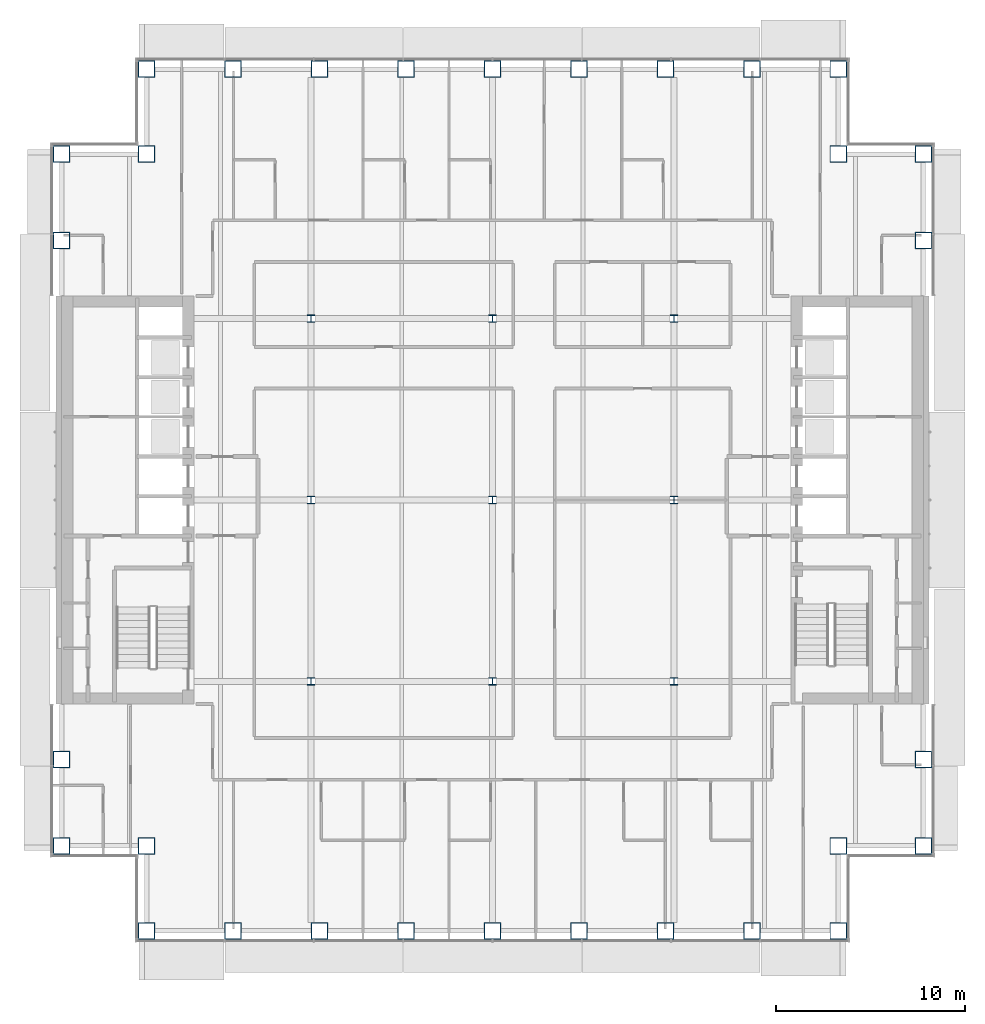
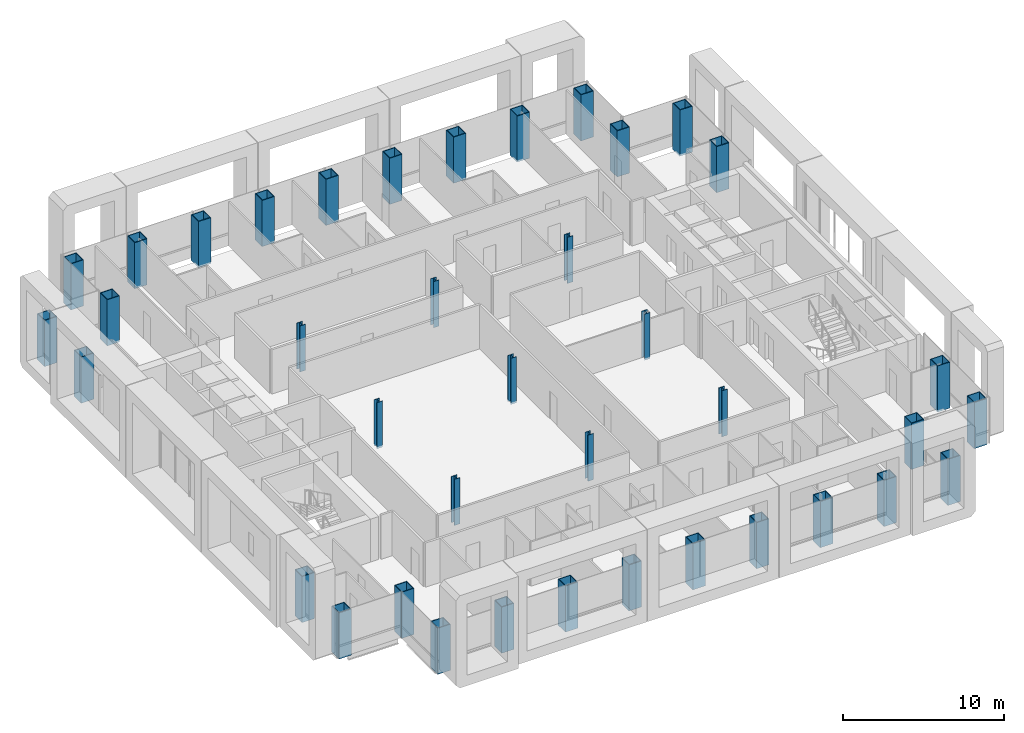
# One storey, part 1 of 20: 39 columns.
"""IFC4 building model written with IfcOpenShell, lengths in metres."""

from ifc_helpers import new_model, si_unit, direction, frame, origin, origin_2d, place, context, subcontext, project, spatial, hollow_rectangle, i_section, extrude, material, material_profile, profile_set, type_object, element, save


model = new_model("IFC4")

# Units and contexts
model_context = context("Model", 3, precision=1e-05, world=origin(), true_north=direction((0.0, 1.0)))
body_context = subcontext(model_context, "Body", "Model", "MODEL_VIEW")
ifc_project = project(units=[si_unit("LENGTHUNIT", "METRE"), si_unit("AREAUNIT", "SQUARE_METRE"), si_unit("VOLUMEUNIT", "CUBIC_METRE"), si_unit("PLANEANGLEUNIT", "RADIAN"), si_unit("MASSUNIT", "GRAM", prefix="KILO")], contexts=[model_context])

# Site, building, storey
site_placement = place(None, origin())
site = spatial("IfcSite", under=ifc_project, at=site_placement, CompositionType="ELEMENT")
building_placement = place(site_placement, origin())
building = spatial("IfcBuilding", under=site, at=building_placement, Name="Cobrizo Arcos Hotel Tower", CompositionType="ELEMENT")
storey_placement = place(building_placement, frame((0.0, 0.0, 96.0)))
storey = spatial("IfcBuildingStorey", under=building, at=storey_placement, Name="L23", CompositionType="ELEMENT", Elevation=96.0)

# Columns
ifc_material_1 = material(Name="Steel ASTM A572 Grade 50", Category="steel")
ifc_material_profile_1 = material_profile(ifc_material_1, hollow_rectangle(XDim=0.89990234375, YDim=0.89990234375, WallThickness=0.050048828125, at=origin_2d()), Name="BOX 900X900X50")
ifc_profile_set_1 = profile_set([ifc_material_profile_1], Name="Steel ASTM A572 Grade 50")
column_type_1 = type_object("IfcColumnType", Name="BOX 900X900X50 column", PredefinedType="COLUMN", material=ifc_profile_set_1)
for number, where, z_axis, x_axis, name in (
    (1, (-18.300048828125, 22.800048828125, -0.14990234375), (0.0, 0.0, 1.0), (1.0, 0.0, 0.0), "Perimeter column C6, L23, no. 00"),
    (2, (-18.300048828125, -22.800048828125, -0.14990234375), (0.0, 0.0, 1.0), (1.0, 0.0, 0.0), "Perimeter column C6, L23, no. 01"),
    (3, (-13.72509765625, 22.800048828125, -0.14990234375), (0.0, 0.0, 1.0), (1.0, 0.0, 0.0), "Perimeter column C6, L23, no. 02"),
    (4, (-13.72509765625, -22.800048828125, -0.14990234375), (0.0, 0.0, 1.0), (1.0, 0.0, 0.0), "Perimeter column C6, L23, no. 03"),
    (5, (-9.14990234375, 22.800048828125, -0.14990234375), (0.0, 0.0, 1.0), (1.0, 0.0, 0.0), "Perimeter column C6, L23, no. 04"),
    (6, (-9.14990234375, -22.800048828125, -0.14990234375), (0.0, 0.0, 1.0), (1.0, 0.0, 0.0), "Perimeter column C6, L23, no. 05"),
    (7, (-4.574951171875, 22.800048828125, -0.14990234375), (0.0, 0.0, 1.0), (1.0, 0.0, 0.0), "Perimeter column C6, L23, no. 06"),
    (8, (-4.574951171875, -22.800048828125, -0.14990234375), (0.0, 0.0, 1.0), (1.0, 0.0, 0.0), "Perimeter column C6, L23, no. 07"),
    (9, (0.0, 22.800048828125, -0.14990234375), (0.0, 0.0, 1.0), (1.0, 0.0, 0.0), "Perimeter column C6, L23, no. 08"),
    (10, (0.0, -22.800048828125, -0.14990234375), (0.0, 0.0, 1.0), (1.0, 0.0, 0.0), "Perimeter column C6, L23, no. 09"),
    (11, (4.574951171875, 22.800048828125, -0.14990234375), (0.0, 0.0, 1.0), (1.0, 0.0, 0.0), "Perimeter column C6, L23, no. 10"),
    (12, (4.574951171875, -22.800048828125, -0.14990234375), (0.0, 0.0, 1.0), (1.0, 0.0, 0.0), "Perimeter column C6, L23, no. 11"),
    (13, (9.14990234375, 22.800048828125, -0.14990234375), (0.0, 0.0, 1.0), (1.0, 0.0, 0.0), "Perimeter column C6, L23, no. 12"),
    (14, (9.14990234375, -22.800048828125, -0.14990234375), (0.0, 0.0, 1.0), (1.0, 0.0, 0.0), "Perimeter column C6, L23, no. 13"),
    (15, (13.72509765625, 22.800048828125, -0.14990234375), (0.0, 0.0, 1.0), (1.0, 0.0, 0.0), "Perimeter column C6, L23, no. 14"),
    (16, (13.72509765625, -22.800048828125, -0.14990234375), (0.0, 0.0, 1.0), (1.0, 0.0, 0.0), "Perimeter column C6, L23, no. 15"),
    (17, (18.300048828125, 22.800048828125, -0.14990234375), (0.0, 0.0, 1.0), (1.0, 0.0, 0.0), "Perimeter column C6, L23, no. 16"),
    (18, (18.300048828125, -22.800048828125, -0.14990234375), (0.0, 0.0, 1.0), (1.0, 0.0, 0.0), "Perimeter column C6, L23, no. 17"),
    (19, (22.800048828125, -18.300048828125, -0.14990234375), (0.0, 0.0, 1.0), (1.0, 0.0, 0.0), "Perimeter column C6, L23, no. 18"),
    (20, (-22.800048828125, -18.300048828125, -0.14990234375), (0.0, 0.0, 1.0), (1.0, 0.0, 0.0), "Perimeter column C6, L23, no. 19"),
    (21, (22.800048828125, -13.72509765625, -0.14990234375), (0.0, 0.0, 1.0), (1.0, 0.0, 0.0), "Perimeter column C6, L23, no. 20"),
    (22, (-22.800048828125, -13.72509765625, -0.14990234375), (0.0, 0.0, 1.0), (1.0, 0.0, 0.0), "Perimeter column C6, L23, no. 21"),
    (23, (22.800048828125, 13.72509765625, -0.14990234375), (0.0, 0.0, 1.0), (1.0, 0.0, 0.0), "Perimeter column C6, L23, no. 22"),
    (24, (-22.800048828125, 13.72509765625, -0.14990234375), (0.0, 0.0, 1.0), (1.0, 0.0, 0.0), "Perimeter column C6, L23, no. 23"),
    (25, (22.800048828125, 18.300048828125, -0.14990234375), (0.0, 0.0, 1.0), (1.0, 0.0, 0.0), "Perimeter column C6, L23, no. 24"),
    (26, (-22.800048828125, 18.300048828125, -0.14990234375), (0.0, 0.0, 1.0), (1.0, 0.0, 0.0), "Perimeter column C6, L23, no. 25"),
    (27, (-18.300048828125, -18.300048828125, -0.14990234375), (0.0, 0.0, 1.0), (1.0, 0.0, 0.0), "Perimeter column C6, L23, no. 26"),
    (28, (-18.300048828125, 18.300048828125, -0.14990234375), (0.0, 0.0, 1.0), (1.0, 0.0, 0.0), "Perimeter column C6, L23, no. 27"),
    (29, (18.300048828125, -18.300048828125, -0.14990234375), (0.0, 0.0, 1.0), (1.0, 0.0, 0.0), "Perimeter column C6, L23, no. 28"),
    (30, (18.300048828125, 18.300048828125, -0.14990234375), (0.0, 0.0, 1.0), (1.0, 0.0, 0.0), "Perimeter column C6, L23, no. 29"),
):
    element("IfcColumn", number, at=place(storey_placement, frame(where, z_axis=z_axis, x_axis=x_axis)), inside=storey, type_object=column_type_1, Name=name, PredefinedType="COLUMN", context=body_context, shape_type="SweptSolid", body=[
        extrude(hollow_rectangle(XDim=0.89990234375, YDim=0.89990234375, WallThickness=0.050048828125, at=origin_2d()), origin(), (0.0, 0.0, 1.0), 3.5),
    ])
ifc_material_2 = material(Name="Steel ASTM A992 Grade 50", Category="steel")
ifc_material_profile_2 = material_profile(ifc_material_2, i_section(OverallWidth=0.398681640625, OverallDepth=0.393798828125, WebThickness=0.022705078125, FlangeThickness=0.03662109375, at=origin_2d()), Name="W14X193")
ifc_profile_set_2 = profile_set([ifc_material_profile_2], Name="Steel ASTM A992 Grade 50")
column_type_2 = type_object("IfcColumnType", Name="W14X193 interior column", PredefinedType="COLUMN", material=ifc_profile_set_2)
for number, where, z_axis, x_axis, name in (
    (31, (-9.60009765625, -9.60009765625, -0.14990234375), (0.0, 0.0, 1.0), (1.0, 0.0, 0.0), "Interior column C7, L23, no. 00"),
    (32, (-9.60009765625, 0.0, -0.14990234375), (0.0, 0.0, 1.0), (1.0, 0.0, 0.0), "Interior column C7, L23, no. 01"),
    (33, (-9.60009765625, 9.60009765625, -0.14990234375), (0.0, 0.0, 1.0), (1.0, 0.0, 0.0), "Interior column C7, L23, no. 02"),
    (34, (0.0, -9.60009765625, -0.14990234375), (0.0, 0.0, 1.0), (1.0, 0.0, 0.0), "Interior column C7, L23, no. 03"),
    (35, (0.0, 0.0, -0.14990234375), (0.0, 0.0, 1.0), (1.0, 0.0, 0.0), "Interior column C7, L23, no. 04"),
    (36, (0.0, 9.60009765625, -0.14990234375), (0.0, 0.0, 1.0), (1.0, 0.0, 0.0), "Interior column C7, L23, no. 05"),
    (37, (9.60009765625, -9.60009765625, -0.14990234375), (0.0, 0.0, 1.0), (1.0, 0.0, 0.0), "Interior column C7, L23, no. 06"),
    (38, (9.60009765625, 0.0, -0.14990234375), (0.0, 0.0, 1.0), (1.0, 0.0, 0.0), "Interior column C7, L23, no. 07"),
    (39, (9.60009765625, 9.60009765625, -0.14990234375), (0.0, 0.0, 1.0), (1.0, 0.0, 0.0), "Interior column C7, L23, no. 08"),
):
    element("IfcColumn", number, at=place(storey_placement, frame(where, z_axis=z_axis, x_axis=x_axis)), inside=storey, type_object=column_type_2, Name=name, PredefinedType="COLUMN", context=body_context, shape_type="SweptSolid", body=[
        extrude(i_section(OverallWidth=0.398681640625, OverallDepth=0.393798828125, WebThickness=0.022705078125, FlangeThickness=0.03662109375, at=origin_2d()), origin(), (0.0, 0.0, 1.0), 3.5),
    ])

save(model, "model.ifc")
